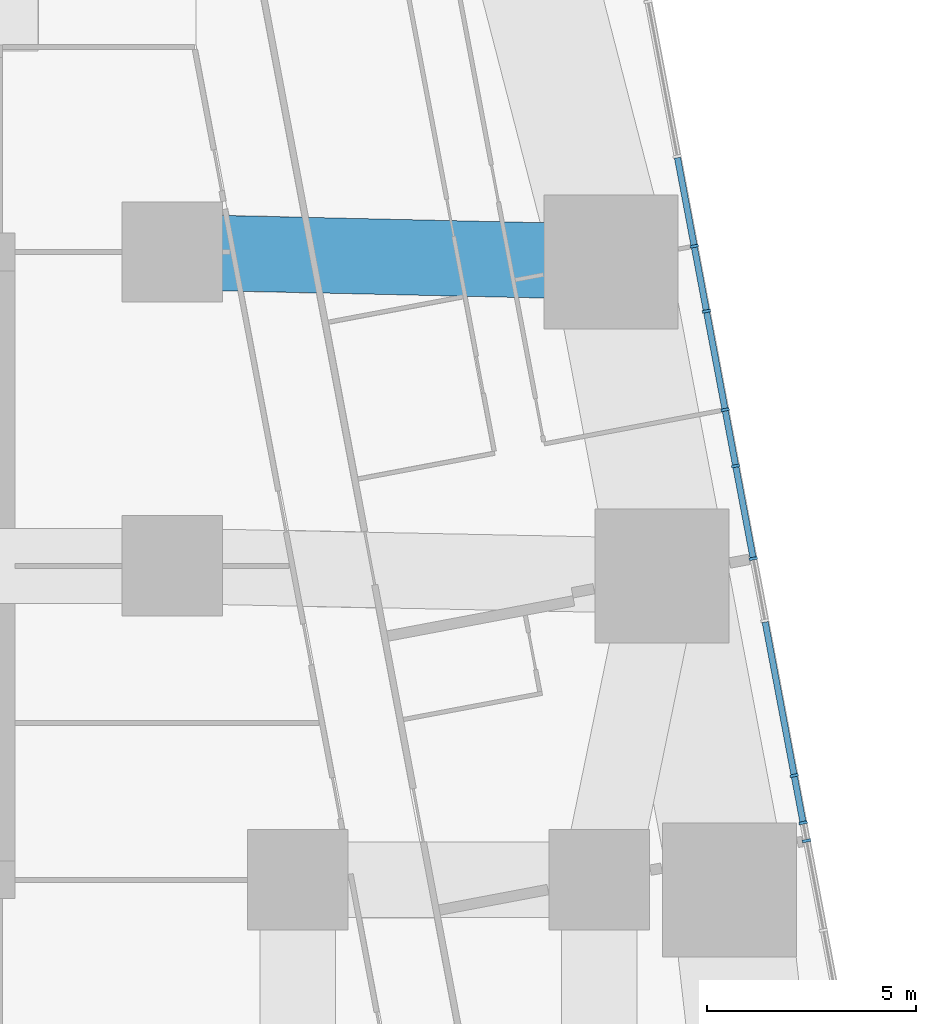
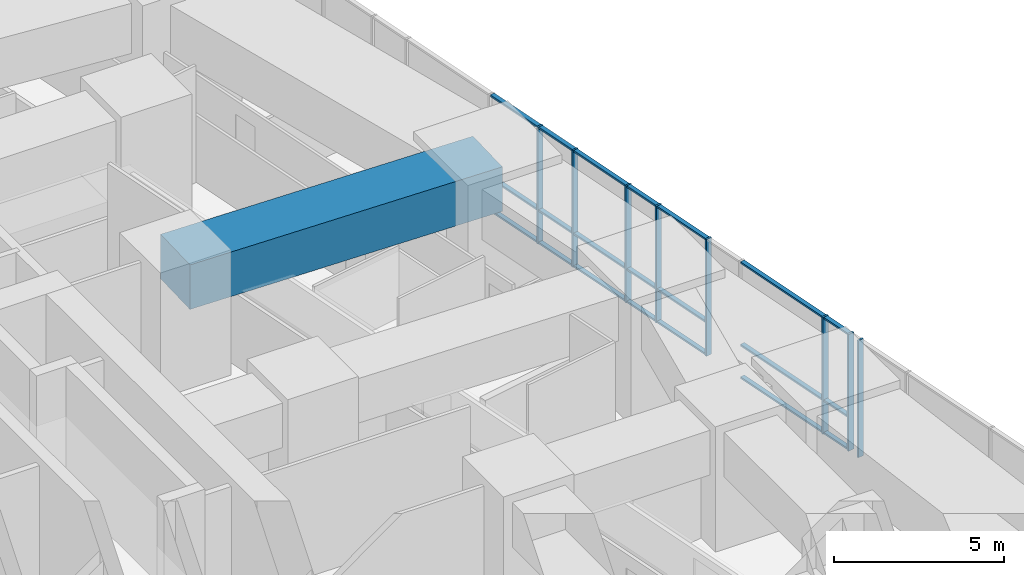
# One storey, part 6 of 22: 29 members, 1 beam, 1 element without a shape of its own.
"""IFC4 building model written with IfcOpenShell, lengths in metres."""

import ifcopenshell
import ifcopenshell.guid

model = None  # the IFC model being written
_history = None  # IfcOwnerHistory: only IFC2X3 demands one
_inside = {}  # id of a spatial element -> (the spatial element, [elements in it])
_under = {}  # id of a project, library or spatial element -> (it, [spatial elements below it])
_declared = {}  # id of a project -> (the project, [libraries it declares])
_typed = {}  # id of a type object -> (the type object, [elements of that type])
_made_of = {}  # id of a material, layer set ... -> (it, [elements and type objects made of it])


def new_model(schema):
    """Start an empty IFC model of exactly this schema.

    Asked for "IFC4X3", IfcOpenShell would pick the latest addendum, in which some entities
    have other attributes; the version numbers below select the first issue.
    IFC2X3 requires an IfcOwnerHistory on every rooted entity: one is made here for all.
    """
    global model, _history
    if schema == "IFC4X3":
        model = ifcopenshell.file(schema_version=(4, 3, 0, 0))
    else:
        model = ifcopenshell.file(schema=schema)
    _inside.clear()
    _under.clear()
    _declared.clear()
    _typed.clear()
    _made_of.clear()
    _history = None
    if model.schema == "IFC2X3":
        org = make("IfcOrganization", Name="unknown")
        user = make(
            "IfcPersonAndOrganization",
            ThePerson=make("IfcPerson", FamilyName="unknown"),
            TheOrganization=org,
        )
        app = make(
            "IfcApplication",
            ApplicationDeveloper=org,
            Version="unknown",
            ApplicationFullName="unknown",
            ApplicationIdentifier="unknown",
        )
        _history = make(
            "IfcOwnerHistory",
            OwningUser=user,
            OwningApplication=app,
            ChangeAction="ADDED",
            CreationDate=0,
        )
    return model


def make(cls, **values):
    """One entity of the class cls with the attributes given. An attribute that is None is left unset."""
    return model.create_entity(
        cls, **{name: value for name, value in values.items() if value is not None}
    )


def rooted(cls, **values):
    """An entity with a GlobalId (a new one), such as an element, a storey or a relation."""
    return make(cls, GlobalId=ifcopenshell.guid.new(), OwnerHistory=_history, **values)


def si_unit(unit_type, name, prefix=None):
    """IfcSIUnit, for example si_unit("LENGTHUNIT", "METRE", prefix="MILLI")."""
    return make("IfcSIUnit", UnitType=unit_type, Prefix=prefix, Name=name)


def assignment(units):
    """IfcUnitAssignment: the units of a project."""
    return None if units is None else make("IfcUnitAssignment", Units=units)


def point(xyz):
    """IfcCartesianPoint."""
    return None if xyz is None else make("IfcCartesianPoint", Coordinates=xyz)


def direction(xyz):
    """IfcDirection."""
    return None if xyz is None else make("IfcDirection", DirectionRatios=xyz)


def frame(location, z_axis=None, x_axis=None):
    """IfcAxis2Placement3D, a coordinate frame: its origin and axes. An axis left out is left unset."""
    return make(
        "IfcAxis2Placement3D",
        Location=point(location),
        Axis=direction(z_axis),
        RefDirection=direction(x_axis),
    )


def frame_2d(location, x_axis=None):
    """IfcAxis2Placement2D, a coordinate frame in the plane: its origin and x axis."""
    return make(
        "IfcAxis2Placement2D", Location=point(location), RefDirection=direction(x_axis)
    )


def origin():
    """The frame at (0, 0, 0) with its axes left unset."""
    return frame((0.0, 0.0, 0.0))


def origin_2d():
    """The frame at (0, 0) in the plane with its x axis left unset."""
    return frame_2d((0.0, 0.0))


def place(relative_to, where):
    """IfcLocalPlacement: puts the frame where relative to a parent placement (None: the world)."""
    return make(
        "IfcLocalPlacement", PlacementRelTo=relative_to, RelativePlacement=where
    )


def context(
    kind, dimensions, precision=None, world=None, true_north=None, identifier=None
):
    """IfcGeometricRepresentationContext, for example the 3D "Model" context."""
    return make(
        "IfcGeometricRepresentationContext",
        ContextIdentifier=identifier,
        ContextType=kind,
        CoordinateSpaceDimension=dimensions,
        Precision=precision,
        WorldCoordinateSystem=world,
        TrueNorth=true_north,
    )


def subcontext(parent, identifier, kind, view, scale=None):
    """IfcGeometricRepresentationSubContext, for example "Body" below "Model"."""
    return make(
        "IfcGeometricRepresentationSubContext",
        ContextIdentifier=identifier,
        ContextType=kind,
        ParentContext=parent,
        TargetScale=scale,
        TargetView=view,
    )


def project(units=None, contexts=None):
    """IfcProject with its units and contexts."""
    return rooted(
        "IfcProject",
        Name="project",
        RepresentationContexts=contexts,
        UnitsInContext=assignment(units),
    )


def spatial(cls, under=None, at=None, **own):
    """A site, building, storey or space (cls), placed at a placement, below another one or the project."""
    s = rooted(cls, ObjectPlacement=at, **own)
    if under is not None:
        _under.setdefault(under.id(), (under, []))[1].append(s)
    return s


def profile(cls, at=None, kind="AREA", **sizes):
    """A parametric profile (cls). Its sizes go by their IFC names, for example OverallWidth=200.0."""
    return make(cls, ProfileType=kind, Position=at, **sizes)


def rectangle(**sizes):
    """IfcRectangleProfileDef."""
    return profile("IfcRectangleProfileDef", **sizes)


def extrude(swept, where, along, depth):
    """IfcExtrudedAreaSolid: the profile swept, set in the frame where, extruded along a direction by depth."""
    return make(
        "IfcExtrudedAreaSolid",
        SweptArea=swept,
        Position=where,
        ExtrudedDirection=direction(along),
        Depth=depth,
    )


def shape(context_of_items, identifier, shape_type, items):
    """IfcShapeRepresentation: the items that make up one representation, for example the "Body"."""
    return make(
        "IfcShapeRepresentation",
        ContextOfItems=context_of_items,
        RepresentationIdentifier=identifier,
        RepresentationType=shape_type,
        Items=items,
    )


def material(Name=None, Category=None):
    """IfcMaterial."""
    return make("IfcMaterial", Name=Name, Category=Category)


def material_profile(
    of_material, cross_section, Name=None, Category=None, Priority=None
):
    """IfcMaterialProfile: a cross section and its material."""
    return make(
        "IfcMaterialProfile",
        Name=Name,
        Material=of_material,
        Profile=cross_section,
        Priority=Priority,
        Category=Category,
    )


def profile_set(profiles, Name=None, composite=None):
    """IfcMaterialProfileSet."""
    return make(
        "IfcMaterialProfileSet",
        Name=Name,
        MaterialProfiles=profiles,
        CompositeProfile=composite,
    )


def made_of(thing, what):
    """Note that an element or type object is made of a material, layer set ...; save() writes the relation."""
    if what is not None:
        _made_of.setdefault(what.id(), (what, []))[1].append(thing)
    return thing


def type_object(cls, material=None, **own):
    """A type object (cls), such as IfcWallType, which elements share."""
    return made_of(rooted(cls, **own), material)


def element(
    cls,
    number,
    at=None,
    inside=None,
    cuts=None,
    type_object=None,
    material=None,
    context=None,
    identifier="Body",
    shape_type=None,
    held_by="IfcProductDefinitionShape",
    body=None,
    shapes=None,
    **own,
):
    """One element of the class cls, such as IfcWall. Its Tag is "e" and its number.

    at: its placement. inside: the storey or other place that contains it. cuts: it is an
    opening in that element (IfcRelVoidsElement). A single representation is given by context,
    identifier, shape_type and body (its items); several are given by shapes. held_by: the class
    of the entity that holds the representations. save() writes the other relations.
    """
    e = rooted(cls, Tag="e%d" % number, ObjectPlacement=at, **own)
    if body is not None:
        shapes = [shape(context, identifier, shape_type, body)]
    if shapes is not None:
        e.Representation = make(held_by, Representations=shapes)
    if inside is not None:
        _inside.setdefault(inside.id(), (inside, []))[1].append(e)
    if cuts is not None:
        rooted(
            "IfcRelVoidsElement", RelatingBuildingElement=cuts, RelatedOpeningElement=e
        )
    if type_object is not None:
        _typed.setdefault(type_object.id(), (type_object, []))[1].append(e)
    return made_of(e, material)


def aggregate(whole, parts):
    """IfcRelAggregates: a whole, such as a stair, and the parts it consists of."""
    return rooted("IfcRelAggregates", RelatingObject=whole, RelatedObjects=parts)


def save(model, path):
    """Write the relations noted so far, then the file.

    IfcRelAggregates (storeys below a building ...), IfcRelContainedInSpatialStructure (elements
    in a storey), IfcRelDefinesByType, IfcRelAssociatesMaterial and IfcRelDeclares: one each for
    every whole, place, type object, material and project.
    """
    for whole, parts in _under.values():
        aggregate(whole, parts)
    for where, things in _inside.values():
        rooted(
            "IfcRelContainedInSpatialStructure",
            RelatedElements=things,
            RelatingStructure=where,
        )
    for kind, things in _typed.values():
        rooted("IfcRelDefinesByType", RelatedObjects=things, RelatingType=kind)
    for what, things in _made_of.values():
        rooted("IfcRelAssociatesMaterial", RelatedObjects=things, RelatingMaterial=what)
    for by, libraries in _declared.values():
        rooted("IfcRelDeclares", RelatingContext=by, RelatedDefinitions=libraries)
    model.write(path)


model = new_model("IFC4")

# Units and contexts
model_context = context("Model", 3, precision=1e-05, world=origin(), true_north=direction((0.0, 1.0)))
body_context = subcontext(model_context, "Body", "Model", "MODEL_VIEW")
ifc_project = project(units=[si_unit("LENGTHUNIT", "METRE"), si_unit("AREAUNIT", "SQUARE_METRE"), si_unit("VOLUMEUNIT", "CUBIC_METRE"), si_unit("PLANEANGLEUNIT", "RADIAN"), si_unit("MASSUNIT", "GRAM", prefix="KILO")], contexts=[model_context])

# Site, building, storey
site_placement = place(None, origin())
site = spatial("IfcSite", under=ifc_project, at=site_placement, CompositionType="ELEMENT")
building_placement = place(site_placement, origin())
building = spatial("IfcBuilding", under=site, at=building_placement, Name="Sheger Commons Tower", CompositionType="ELEMENT")
storey_placement = place(building_placement, frame((0.0, 0.0, 10.10009765625)))
storey = spatial("IfcBuildingStorey", under=building, at=storey_placement, Name="L02", CompositionType="ELEMENT", Elevation=10.10009765625)

# Beam
ifc_material_1 = material(Name="Concrete C50/60", Category="concrete")
ifc_material_profile_1 = material_profile(ifc_material_1, rectangle(XDim=1.800048828125, YDim=1.60009765625, at=origin_2d()), Name="RC 1800x1600")
ifc_profile_set_1 = profile_set([ifc_material_profile_1], Name="Concrete C50/60")
beam_type = type_object("IfcBeamType", Name="BEAM RC 1800x1600", PredefinedType="BEAM", material=ifc_profile_set_1)
beam_placement = place(storey_placement, frame((33.0, 30.0, 3.39990234375), z_axis=(0.999744258625, -0.022614538395, 0.0), x_axis=(0.022614538395, 0.999744258625, 0.0)))
element("IfcBeam", 1, at=beam_placement, inside=storey, type_object=beam_type, Name="Beam 6-3000/E-E/E under L03", PredefinedType="BEAM", context=body_context, shape_type="SweptSolid", body=[
    extrude(rectangle(XDim=1.800048828125, YDim=1.60009765625, at=origin_2d()), origin(), (0.0, 0.0, 1.0), 10.482666015625),
])

# Curtain wall, members
ifc_material_2 = material(Name="Black aluminium curtain wall, dark tinted glazing", Category="aluminium")
curtain_wall_type = type_object("IfcCurtainWallType", Name="CURTAIN WALL CW2 HEALTH CENTRE", PredefinedType="USERDEFINED", material=ifc_material_2)
curtain_wall_placement = place(storey_placement, origin())
curtain_wall = element("IfcCurtainWall", 2, at=curtain_wall_placement, inside=storey, type_object=curtain_wall_type, Name="Curtain Wall Cw2 Health Centre E1 L02", ObjectType="STICK CURTAIN WALL", PredefinedType="USERDEFINED")
ifc_material_3 = material(Name="Black anodised aluminium", Category="aluminium")
ifc_material_profile_2 = material_profile(ifc_material_3, rectangle(XDim=0.199951171875, YDim=0.06494140625, at=origin_2d()), Name="AL 65x200")
ifc_profile_set_2 = profile_set([ifc_material_profile_2], Name="Black anodised aluminium")
member_type_1 = type_object("IfcMemberType", Name="MULLION AL 65x200", PredefinedType="MULLION", material=ifc_profile_set_2)
member_1_placement = place(storey_placement, frame((48.153564453125, 15.93505859375, 0.0), z_axis=(0.0, 0.0, 1.0), x_axis=(-0.982623514181, -0.185609884918, 0.0)))
member_1 = element("IfcMember", 3, at=member_1_placement, type_object=member_type_1, Name="CW2 mullion 6", PredefinedType="MULLION", context=body_context, shape_type="SweptSolid", body=[
    extrude(rectangle(XDim=0.199951171875, YDim=0.06494140625, at=origin_2d()), origin(), (0.0, 0.0, 1.0), 4.199951171875),
])
member_2_placement = place(storey_placement, frame((48.07275390625, 16.363525390625, 0.0), z_axis=(0.0, 0.0, 1.0), x_axis=(-0.982623514181, -0.185609884918, 0.0)))
member_2 = element("IfcMember", 4, at=member_2_placement, type_object=member_type_1, Name="CW2 mullion 7", PredefinedType="MULLION", context=body_context, shape_type="SweptSolid", body=[
    extrude(rectangle(XDim=0.199951171875, YDim=0.06494140625, at=origin_2d()), origin(), (0.0, 0.0, 1.0), 4.199951171875),
])
member_3_placement = place(storey_placement, frame((47.859130859375, 17.493408203125, 0.0), z_axis=(0.0, 0.0, 1.0), x_axis=(-0.982623514181, -0.185609884918, 0.0)))
member_3 = element("IfcMember", 5, at=member_3_placement, type_object=member_type_1, Name="CW2 mullion 8", PredefinedType="MULLION", context=body_context, shape_type="SweptSolid", body=[
    extrude(rectangle(XDim=0.199951171875, YDim=0.06494140625, at=origin_2d()), origin(), (0.0, 0.0, 1.0), 4.199951171875),
])
member_4_placement = place(storey_placement, frame((46.88037109375, 22.6748046875, 0.0), z_axis=(0.0, 0.0, 1.0), x_axis=(-0.982623514181, -0.185609884918, 0.0)))
member_4 = element("IfcMember", 6, at=member_4_placement, type_object=member_type_1, Name="CW2 mullion 10", PredefinedType="MULLION", context=body_context, shape_type="SweptSolid", body=[
    extrude(rectangle(XDim=0.199951171875, YDim=0.06494140625, at=origin_2d()), origin(), (0.0, 0.0, 1.0), 4.199951171875),
])
member_5_placement = place(storey_placement, frame((46.46240234375, 24.888671875, 0.0), z_axis=(0.0, 0.0, 1.0), x_axis=(-0.982623514181, -0.185609884918, 0.0)))
member_5 = element("IfcMember", 7, at=member_5_placement, type_object=member_type_1, Name="CW2 mullion 11", PredefinedType="MULLION", context=body_context, shape_type="SweptSolid", body=[
    extrude(rectangle(XDim=0.199951171875, YDim=0.06494140625, at=origin_2d()), origin(), (0.0, 0.0, 1.0), 4.199951171875),
])
member_6_placement = place(storey_placement, frame((46.208740234375, 26.23095703125, 0.0), z_axis=(0.0, 0.0, 1.0), x_axis=(-0.982623514181, -0.185609884918, 0.0)))
member_6 = element("IfcMember", 8, at=member_6_placement, type_object=member_type_1, Name="CW2 mullion 12", PredefinedType="MULLION", context=body_context, shape_type="SweptSolid", body=[
    extrude(rectangle(XDim=0.199951171875, YDim=0.06494140625, at=origin_2d()), origin(), (0.0, 0.0, 1.0), 4.199951171875),
])
member_7_placement = place(storey_placement, frame((45.763916015625, 28.586181640625, 0.0), z_axis=(0.0, 0.0, 1.0), x_axis=(-0.982623514181, -0.185609884918, 0.0)))
member_7 = element("IfcMember", 9, at=member_7_placement, type_object=member_type_1, Name="CW2 mullion 13", PredefinedType="MULLION", context=body_context, shape_type="SweptSolid", body=[
    extrude(rectangle(XDim=0.199951171875, YDim=0.06494140625, at=origin_2d()), origin(), (0.0, 0.0, 1.0), 4.199951171875),
])
member_8_placement = place(storey_placement, frame((45.470703125, 30.138916015625, 0.0), z_axis=(0.0, 0.0, 1.0), x_axis=(-0.982623514181, -0.185609884918, 0.0)))
member_8 = element("IfcMember", 10, at=member_8_placement, type_object=member_type_1, Name="CW2 mullion 14", PredefinedType="MULLION", context=body_context, shape_type="SweptSolid", body=[
    extrude(rectangle(XDim=0.199951171875, YDim=0.06494140625, at=origin_2d()), origin(), (0.0, 0.0, 1.0), 4.199951171875),
])
ifc_material_4 = material(Name="Black anodised aluminium", Category="aluminium")
ifc_material_profile_3 = material_profile(ifc_material_4, rectangle(XDim=0.14990234375, YDim=0.06494140625, at=origin_2d()), Name="AL 65x150")
ifc_profile_set_3 = profile_set([ifc_material_profile_3], Name="Black anodised aluminium")
member_type_2 = type_object("IfcMemberType", Name="TRANSOM AL 65x150", PredefinedType="USERDEFINED", material=ifc_profile_set_3)
member_9_placement = place(storey_placement, frame((48.066650390625, 16.395263671875, 0.032470703125), z_axis=(-0.18563332851, 0.98261908558, 0.0), x_axis=(-0.98261908558, -0.18563332851, 0.0)))
member_9 = element("IfcMember", 11, at=member_9_placement, type_object=member_type_2, Name="CW2 transom 7.1", ObjectType="TRANSOM", PredefinedType="USERDEFINED", context=body_context, shape_type="SweptSolid", body=[
    extrude(rectangle(XDim=0.14990234375, YDim=0.06494140625, at=origin_2d()), origin(), (0.0, 0.0, 1.0), 1.0849609375),
])
member_10_placement = place(storey_placement, frame((48.066650390625, 16.395263671875, 1.199951171875), z_axis=(-0.18563332851, 0.98261908558, 0.0), x_axis=(-0.98261908558, -0.18563332851, 0.0)))
member_10 = element("IfcMember", 12, at=member_10_placement, type_object=member_type_2, Name="CW2 transom 7.2", ObjectType="TRANSOM", PredefinedType="USERDEFINED", context=body_context, shape_type="SweptSolid", body=[
    extrude(rectangle(XDim=0.14990234375, YDim=0.06494140625, at=origin_2d()), origin(), (0.0, 0.0, 1.0), 1.0849609375),
])
member_11_placement = place(storey_placement, frame((48.066650390625, 16.395263671875, 4.16748046875), z_axis=(-0.18563332851, 0.98261908558, 0.0), x_axis=(-0.98261908558, -0.18563332851, 0.0)))
member_11 = element("IfcMember", 13, at=member_11_placement, type_object=member_type_2, Name="CW2 transom 7.3", ObjectType="TRANSOM", PredefinedType="USERDEFINED", context=body_context, shape_type="SweptSolid", body=[
    extrude(rectangle(XDim=0.14990234375, YDim=0.06494140625, at=origin_2d()), origin(), (0.0, 0.0, 1.0), 1.0849609375),
])
member_12_placement = place(storey_placement, frame((47.853271484375, 17.525390625, 0.032470703125), z_axis=(-0.18564360451, 0.982617144215, 0.0), x_axis=(-0.982617144215, -0.18564360451, 0.0)))
member_12 = element("IfcMember", 14, at=member_12_placement, type_object=member_type_2, Name="CW2 transom 8.1", ObjectType="TRANSOM", PredefinedType="USERDEFINED", context=body_context, shape_type="SweptSolid", body=[
    extrude(rectangle(XDim=0.14990234375, YDim=0.06494140625, at=origin_2d()), origin(), (0.0, 0.0, 1.0), 3.697998046875),
])
member_13_placement = place(storey_placement, frame((47.853271484375, 17.525390625, 1.199951171875), z_axis=(-0.18564360451, 0.982617144215, 0.0), x_axis=(-0.982617144215, -0.18564360451, 0.0)))
member_13 = element("IfcMember", 15, at=member_13_placement, type_object=member_type_2, Name="CW2 transom 8.2", ObjectType="TRANSOM", PredefinedType="USERDEFINED", context=body_context, shape_type="SweptSolid", body=[
    extrude(rectangle(XDim=0.14990234375, YDim=0.06494140625, at=origin_2d()), origin(), (0.0, 0.0, 1.0), 3.697998046875),
])
member_14_placement = place(storey_placement, frame((47.853271484375, 17.525390625, 4.16748046875), z_axis=(-0.18564360451, 0.982617144215, 0.0), x_axis=(-0.982617144215, -0.18564360451, 0.0)))
member_14 = element("IfcMember", 16, at=member_14_placement, type_object=member_type_2, Name="CW2 transom 8.3", ObjectType="TRANSOM", PredefinedType="USERDEFINED", context=body_context, shape_type="SweptSolid", body=[
    extrude(rectangle(XDim=0.14990234375, YDim=0.06494140625, at=origin_2d()), origin(), (0.0, 0.0, 1.0), 3.697998046875),
])
member_15_placement = place(storey_placement, frame((46.87451171875, 22.706787109375, 0.032470703125), z_axis=(-0.185676206865, 0.982610984166, 0.0), x_axis=(-0.982610984166, -0.185676206865, 0.0)))
member_15 = element("IfcMember", 17, at=member_15_placement, type_object=member_type_2, Name="CW2 transom 10.1", ObjectType="TRANSOM", PredefinedType="USERDEFINED", context=body_context, shape_type="SweptSolid", body=[
    extrude(rectangle(XDim=0.14990234375, YDim=0.06494140625, at=origin_2d()), origin(), (0.0, 0.0, 1.0), 2.18798828125),
])
member_16_placement = place(storey_placement, frame((46.87451171875, 22.706787109375, 1.199951171875), z_axis=(-0.185676206865, 0.982610984166, 0.0), x_axis=(-0.982610984166, -0.185676206865, 0.0)))
member_16 = element("IfcMember", 18, at=member_16_placement, type_object=member_type_2, Name="CW2 transom 10.2", ObjectType="TRANSOM", PredefinedType="USERDEFINED", context=body_context, shape_type="SweptSolid", body=[
    extrude(rectangle(XDim=0.14990234375, YDim=0.06494140625, at=origin_2d()), origin(), (0.0, 0.0, 1.0), 2.18798828125),
])
member_17_placement = place(storey_placement, frame((46.87451171875, 22.706787109375, 4.16748046875), z_axis=(-0.185676206865, 0.982610984166, 0.0), x_axis=(-0.982610984166, -0.185676206865, 0.0)))
member_17 = element("IfcMember", 19, at=member_17_placement, type_object=member_type_2, Name="CW2 transom 10.3", ObjectType="TRANSOM", PredefinedType="USERDEFINED", context=body_context, shape_type="SweptSolid", body=[
    extrude(rectangle(XDim=0.14990234375, YDim=0.06494140625, at=origin_2d()), origin(), (0.0, 0.0, 1.0), 2.18798828125),
])
member_18_placement = place(storey_placement, frame((46.456298828125, 24.920654296875, 0.032470703125), z_axis=(-0.185602748046, 0.982624862253, 0.0), x_axis=(-0.982624862253, -0.185602748046, 0.0)))
member_18 = element("IfcMember", 20, at=member_18_placement, type_object=member_type_2, Name="CW2 transom 11.1", ObjectType="TRANSOM", PredefinedType="USERDEFINED", context=body_context, shape_type="SweptSolid", body=[
    extrude(rectangle(XDim=0.14990234375, YDim=0.06494140625, at=origin_2d()), origin(), (0.0, 0.0, 1.0), 1.301025390625),
])
member_19_placement = place(storey_placement, frame((46.456298828125, 24.920654296875, 1.199951171875), z_axis=(-0.185602748046, 0.982624862253, 0.0), x_axis=(-0.982624862253, -0.185602748046, 0.0)))
member_19 = element("IfcMember", 21, at=member_19_placement, type_object=member_type_2, Name="CW2 transom 11.2", ObjectType="TRANSOM", PredefinedType="USERDEFINED", context=body_context, shape_type="SweptSolid", body=[
    extrude(rectangle(XDim=0.14990234375, YDim=0.06494140625, at=origin_2d()), origin(), (0.0, 0.0, 1.0), 1.301025390625),
])
member_20_placement = place(storey_placement, frame((46.456298828125, 24.920654296875, 4.16748046875), z_axis=(-0.185602748046, 0.982624862253, 0.0), x_axis=(-0.982624862253, -0.185602748046, 0.0)))
member_20 = element("IfcMember", 22, at=member_20_placement, type_object=member_type_2, Name="CW2 transom 11.3", ObjectType="TRANSOM", PredefinedType="USERDEFINED", context=body_context, shape_type="SweptSolid", body=[
    extrude(rectangle(XDim=0.14990234375, YDim=0.06494140625, at=origin_2d()), origin(), (0.0, 0.0, 1.0), 1.301025390625),
])
member_21_placement = place(storey_placement, frame((46.20263671875, 26.262939453125, 0.032470703125), z_axis=(-0.185615759964, 0.982622404412, 0.0), x_axis=(-0.982622404412, -0.185615759964, 0.0)))
member_21 = element("IfcMember", 23, at=member_21_placement, type_object=member_type_2, Name="CW2 transom 12.1", ObjectType="TRANSOM", PredefinedType="USERDEFINED", context=body_context, shape_type="SweptSolid", body=[
    extrude(rectangle(XDim=0.14990234375, YDim=0.06494140625, at=origin_2d()), origin(), (0.0, 0.0, 1.0), 2.33203125),
])
member_22_placement = place(storey_placement, frame((46.20263671875, 26.262939453125, 1.199951171875), z_axis=(-0.185615759964, 0.982622404412, 0.0), x_axis=(-0.982622404412, -0.185615759964, 0.0)))
member_22 = element("IfcMember", 24, at=member_22_placement, type_object=member_type_2, Name="CW2 transom 12.2", ObjectType="TRANSOM", PredefinedType="USERDEFINED", context=body_context, shape_type="SweptSolid", body=[
    extrude(rectangle(XDim=0.14990234375, YDim=0.06494140625, at=origin_2d()), origin(), (0.0, 0.0, 1.0), 2.33203125),
])
member_23_placement = place(storey_placement, frame((46.20263671875, 26.262939453125, 4.16748046875), z_axis=(-0.185615759964, 0.982622404412, 0.0), x_axis=(-0.982622404412, -0.185615759964, 0.0)))
member_23 = element("IfcMember", 25, at=member_23_placement, type_object=member_type_2, Name="CW2 transom 12.3", ObjectType="TRANSOM", PredefinedType="USERDEFINED", context=body_context, shape_type="SweptSolid", body=[
    extrude(rectangle(XDim=0.14990234375, YDim=0.06494140625, at=origin_2d()), origin(), (0.0, 0.0, 1.0), 2.33203125),
])
member_24_placement = place(storey_placement, frame((45.7578125, 28.6181640625, 0.032470703125), z_axis=(-0.185630977096, 0.982619529799, 0.0), x_axis=(-0.982619529799, -0.185630977096, 0.0)))
member_24 = element("IfcMember", 26, at=member_24_placement, type_object=member_type_2, Name="CW2 transom 13.1", ObjectType="TRANSOM", PredefinedType="USERDEFINED", context=body_context, shape_type="SweptSolid", body=[
    extrude(rectangle(XDim=0.14990234375, YDim=0.06494140625, at=origin_2d()), origin(), (0.0, 0.0, 1.0), 1.51513671875),
])
member_25_placement = place(storey_placement, frame((45.7578125, 28.6181640625, 1.199951171875), z_axis=(-0.185630977096, 0.982619529799, 0.0), x_axis=(-0.982619529799, -0.185630977096, 0.0)))
member_25 = element("IfcMember", 27, at=member_25_placement, type_object=member_type_2, Name="CW2 transom 13.2", ObjectType="TRANSOM", PredefinedType="USERDEFINED", context=body_context, shape_type="SweptSolid", body=[
    extrude(rectangle(XDim=0.14990234375, YDim=0.06494140625, at=origin_2d()), origin(), (0.0, 0.0, 1.0), 1.51513671875),
])
member_26_placement = place(storey_placement, frame((45.7578125, 28.6181640625, 4.16748046875), z_axis=(-0.185630977096, 0.982619529799, 0.0), x_axis=(-0.982619529799, -0.185630977096, 0.0)))
member_26 = element("IfcMember", 28, at=member_26_placement, type_object=member_type_2, Name="CW2 transom 13.3", ObjectType="TRANSOM", PredefinedType="USERDEFINED", context=body_context, shape_type="SweptSolid", body=[
    extrude(rectangle(XDim=0.14990234375, YDim=0.06494140625, at=origin_2d()), origin(), (0.0, 0.0, 1.0), 1.51513671875),
])
member_27_placement = place(storey_placement, frame((45.464599609375, 30.170654296875, 0.032470703125), z_axis=(-0.18557585976, 0.982629940656, 0.0), x_axis=(-0.982629940656, -0.18557585976, 0.0)))
member_27 = element("IfcMember", 29, at=member_27_placement, type_object=member_type_2, Name="CW2 transom 14.1", ObjectType="TRANSOM", PredefinedType="USERDEFINED", context=body_context, shape_type="SweptSolid", body=[
    extrude(rectangle(XDim=0.14990234375, YDim=0.06494140625, at=origin_2d()), origin(), (0.0, 0.0, 1.0), 2.1181640625),
])
member_28_placement = place(storey_placement, frame((45.464599609375, 30.170654296875, 1.199951171875), z_axis=(-0.18557585976, 0.982629940656, 0.0), x_axis=(-0.982629940656, -0.18557585976, 0.0)))
member_28 = element("IfcMember", 30, at=member_28_placement, type_object=member_type_2, Name="CW2 transom 14.2", ObjectType="TRANSOM", PredefinedType="USERDEFINED", context=body_context, shape_type="SweptSolid", body=[
    extrude(rectangle(XDim=0.14990234375, YDim=0.06494140625, at=origin_2d()), origin(), (0.0, 0.0, 1.0), 2.1181640625),
])
member_29_placement = place(storey_placement, frame((45.464599609375, 30.170654296875, 4.16748046875), z_axis=(-0.18557585976, 0.982629940656, 0.0), x_axis=(-0.982629940656, -0.18557585976, 0.0)))
member_29 = element("IfcMember", 31, at=member_29_placement, type_object=member_type_2, Name="CW2 transom 14.3", ObjectType="TRANSOM", PredefinedType="USERDEFINED", context=body_context, shape_type="SweptSolid", body=[
    extrude(rectangle(XDim=0.14990234375, YDim=0.06494140625, at=origin_2d()), origin(), (0.0, 0.0, 1.0), 2.1181640625),
])
aggregate(curtain_wall, [member_1, member_2, member_3, member_4, member_5, member_6, member_7, member_8, member_9, member_10, member_11, member_12, member_13, member_14, member_15, member_16, member_17, member_18, member_19, member_20, member_21, member_22, member_23, member_24, member_25, member_26, member_27, member_28, member_29])

save(model, "model.ifc")
